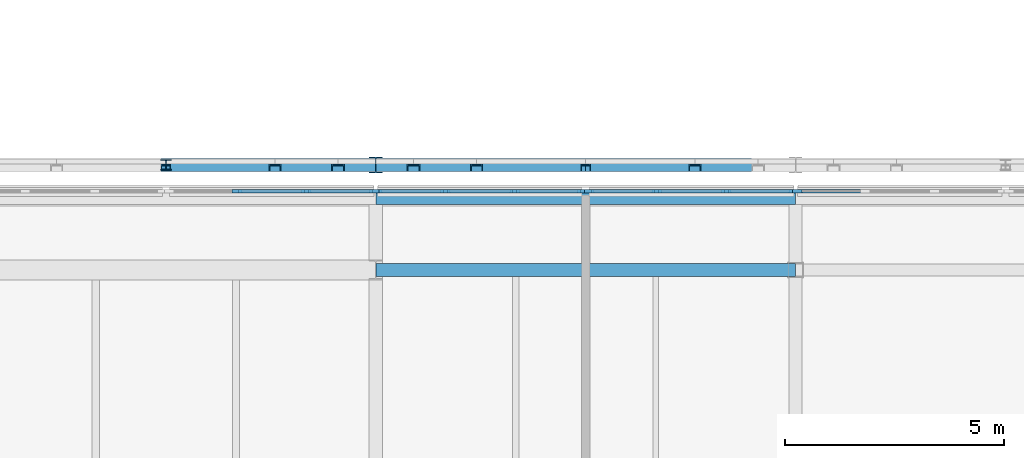
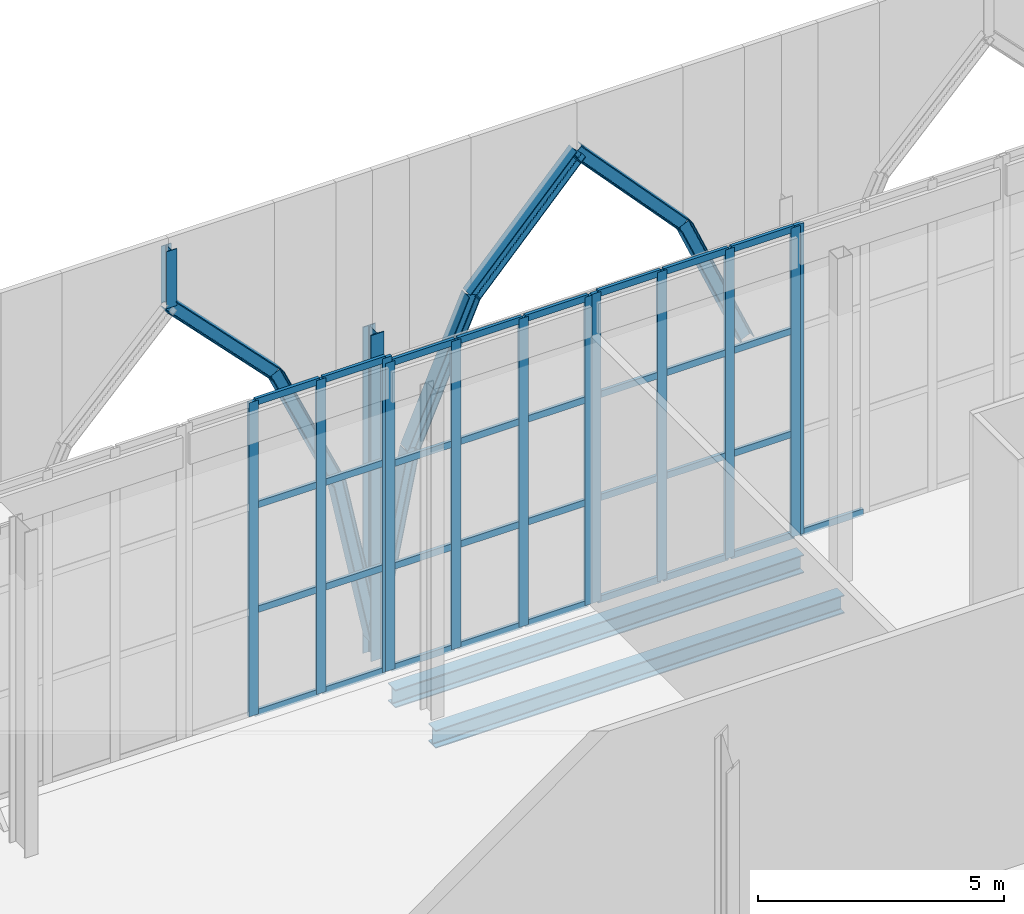
# One storey, part 29 of 79: 55 members, 2 beams, 4 elements without a shape of their own.
"""IFC4 building model written with IfcOpenShell, lengths in metres."""

from ifc_helpers import new_model, si_unit, direction, frame, origin, origin_2d, place, context, subcontext, project, spatial, rectangle, i_section, extrude, material, layer, layer_set, material_profile, profile_set, type_object, element, aggregate, save


model = new_model("IFC4")

# Units and contexts
model_context = context("Model", 3, precision=1e-05, world=origin(), true_north=direction((0.0, 1.0)))
body_context = subcontext(model_context, "Body", "Model", "MODEL_VIEW")
ifc_project = project(units=[si_unit("LENGTHUNIT", "METRE"), si_unit("AREAUNIT", "SQUARE_METRE"), si_unit("VOLUMEUNIT", "CUBIC_METRE"), si_unit("PLANEANGLEUNIT", "RADIAN"), si_unit("MASSUNIT", "GRAM", prefix="KILO")], contexts=[model_context])

# Site, building, storey
site_placement = place(None, origin())
site = spatial("IfcSite", under=ifc_project, at=site_placement, CompositionType="ELEMENT")
building_placement = place(site_placement, origin())
building = spatial("IfcBuilding", under=site, at=building_placement, Name="Zereglee Splitstone Museum", CompositionType="ELEMENT")
storey_placement = place(building_placement, frame((0.0, 0.0, 9.0)))
storey = spatial("IfcBuildingStorey", under=building, at=storey_placement, Name="L02", CompositionType="ELEMENT", Elevation=9.0)

# Curtain wall, member
ifc_material_1 = material(Name="Triple-glazed low-E argon glass and bronze-anodised aluminium", Category="aluminium")
ifc_layer_1 = layer(ifc_material_1, 0.219970703125)
ifc_layer_set_1 = layer_set([ifc_layer_1], Name="Triple-glazed low-E argon glass and bronze-anodised aluminium")
curtain_wall_type_1 = type_object("IfcCurtainWallType", Name="CW-0476-772", PredefinedType="USERDEFINED", material=ifc_layer_set_1)
curtain_wall_1_placement = place(storey_placement, origin())
curtain_wall_1 = element("IfcCurtainWall", 1, at=curtain_wall_1_placement, inside=storey, type_object=curtain_wall_type_1, Name="Glazed Curtain Wall CW-0476-772 (L02)", ObjectType="GLAZED CURTAIN WALL", PredefinedType="USERDEFINED")
ifc_material_2 = material(Name="Thermally broken bronze-anodised aluminium", Category="aluminium")
ifc_material_profile_1 = material_profile(ifc_material_2, rectangle(XDim=0.074951171875, YDim=0.219970703125, at=origin_2d()), Name="CW MULL 75x220")
ifc_profile_set_1 = profile_set([ifc_material_profile_1], Name="Thermally broken bronze-anodised aluminium")
member_type_1 = type_object("IfcMemberType", Name="CWM-02", PredefinedType="MULLION", material=ifc_profile_set_1)
member_1_placement = place(storey_placement, frame((116.4375, 52.199951171875, 0.0), z_axis=(0.0, 0.0, 1.0), x_axis=(0.0, -1.0, 0.0)))
member_1 = element("IfcMember", 2, at=member_1_placement, type_object=member_type_1, Name="CW-0476-772 mullion 4", PredefinedType="MULLION", context=body_context, shape_type="SweptSolid", body=[
    extrude(rectangle(XDim=0.074951171875, YDim=0.219970703125, at=origin_2d()), origin(), (0.0, 0.0, 1.0), 7.719970703125),
])

# Curtain wall, members
ifc_layer_2 = layer(ifc_material_1, 0.219970703125)
ifc_layer_set_2 = layer_set([ifc_layer_2], Name="Triple-glazed low-E argon glass and bronze-anodised aluminium")
curtain_wall_type_2 = type_object("IfcCurtainWallType", Name="CW-0476-768", PredefinedType="USERDEFINED", material=ifc_layer_set_2)
curtain_wall_2_placement = place(storey_placement, origin())
curtain_wall_2 = element("IfcCurtainWall", 3, at=curtain_wall_2_placement, inside=storey, type_object=curtain_wall_type_2, Name="Glazed Curtain Wall CW-0476-768 (L02)", ObjectType="GLAZED CURTAIN WALL", PredefinedType="USERDEFINED")
member_2_placement = place(storey_placement, frame((116.362548828125, 52.199951171875, 0.0), z_axis=(0.0, 0.0, 1.0), x_axis=(0.0, -1.0, 0.0)))
member_2 = element("IfcMember", 4, at=member_2_placement, type_object=member_type_1, Name="CW-0476-768 mullion 1", PredefinedType="MULLION", context=body_context, shape_type="SweptSolid", body=[
    extrude(rectangle(XDim=0.074951171875, YDim=0.219970703125, at=origin_2d()), origin(), (0.0, 0.0, 1.0), 7.679931640625),
])
member_3_placement = place(storey_placement, frame((114.813232421875, 52.199951171875, 0.0), z_axis=(0.0, 0.0, 1.0), x_axis=(0.0, -1.0, 0.0)))
member_3 = element("IfcMember", 5, at=member_3_placement, type_object=member_type_1, Name="CW-0476-768 mullion 2", PredefinedType="MULLION", context=body_context, shape_type="SweptSolid", body=[
    extrude(rectangle(XDim=0.074951171875, YDim=0.219970703125, at=origin_2d()), origin(), (0.0, 0.0, 1.0), 7.679931640625),
])
member_4_placement = place(storey_placement, frame((113.2265625, 52.199951171875, 0.0), z_axis=(0.0, 0.0, 1.0), x_axis=(0.0, -1.0, 0.0)))
member_4 = element("IfcMember", 6, at=member_4_placement, type_object=member_type_1, Name="CW-0476-768 mullion 3", PredefinedType="MULLION", context=body_context, shape_type="SweptSolid", body=[
    extrude(rectangle(XDim=0.074951171875, YDim=0.219970703125, at=origin_2d()), origin(), (0.0, 0.0, 1.0), 7.679931640625),
])
member_5_placement = place(storey_placement, frame((111.677490234375, 52.199951171875, 0.0), z_axis=(0.0, 0.0, 1.0), x_axis=(0.0, -1.0, 0.0)))
member_5 = element("IfcMember", 7, at=member_5_placement, type_object=member_type_1, Name="CW-0476-768 mullion 4", PredefinedType="MULLION", context=body_context, shape_type="SweptSolid", body=[
    extrude(rectangle(XDim=0.074951171875, YDim=0.219970703125, at=origin_2d()), origin(), (0.0, 0.0, 1.0), 7.679931640625),
])

ifc_layer_3 = layer(ifc_material_1, 0.219970703125)
ifc_layer_set_3 = layer_set([ifc_layer_3], Name="Triple-glazed low-E argon glass and bronze-anodised aluminium")
curtain_wall_type_3 = type_object("IfcCurtainWallType", Name="CW-0476-766", PredefinedType="USERDEFINED", material=ifc_layer_set_3)
curtain_wall_3_placement = place(storey_placement, origin())
curtain_wall_3 = element("IfcCurtainWall", 8, at=curtain_wall_3_placement, inside=storey, type_object=curtain_wall_type_3, Name="Glazed Curtain Wall CW-0476-766 (L02)", ObjectType="GLAZED CURTAIN WALL", PredefinedType="USERDEFINED")
member_6_placement = place(storey_placement, frame((111.5224609375, 52.199951171875, 0.0), z_axis=(0.0, 0.0, 1.0), x_axis=(0.0, -1.0, 0.0)))
member_6 = element("IfcMember", 9, at=member_6_placement, type_object=member_type_1, Name="CW-0476-766 mullion 1", PredefinedType="MULLION", context=body_context, shape_type="SweptSolid", body=[
    extrude(rectangle(XDim=0.074951171875, YDim=0.219970703125, at=origin_2d()), origin(), (0.0, 0.0, 1.0), 7.659912109375),
])
member_7_placement = place(storey_placement, frame((109.973388671875, 52.199951171875, 0.0), z_axis=(0.0, 0.0, 1.0), x_axis=(0.0, -1.0, 0.0)))
member_7 = element("IfcMember", 10, at=member_7_placement, type_object=member_type_1, Name="CW-0476-766 mullion 2", PredefinedType="MULLION", context=body_context, shape_type="SweptSolid", body=[
    extrude(rectangle(XDim=0.074951171875, YDim=0.219970703125, at=origin_2d()), origin(), (0.0, 0.0, 1.0), 7.659912109375),
])
member_8_placement = place(storey_placement, frame((108.38671875, 52.199951171875, 0.0), z_axis=(0.0, 0.0, 1.0), x_axis=(0.0, -1.0, 0.0)))
member_8 = element("IfcMember", 11, at=member_8_placement, type_object=member_type_1, Name="CW-0476-766 mullion 3", PredefinedType="MULLION", context=body_context, shape_type="SweptSolid", body=[
    extrude(rectangle(XDim=0.074951171875, YDim=0.219970703125, at=origin_2d()), origin(), (0.0, 0.0, 1.0), 7.659912109375),
])
member_9_placement = place(storey_placement, frame((106.83740234375, 52.199951171875, 0.0), z_axis=(0.0, 0.0, 1.0), x_axis=(0.0, -1.0, 0.0)))
member_9 = element("IfcMember", 12, at=member_9_placement, type_object=member_type_1, Name="CW-0476-766 mullion 4", PredefinedType="MULLION", context=body_context, shape_type="SweptSolid", body=[
    extrude(rectangle(XDim=0.074951171875, YDim=0.219970703125, at=origin_2d()), origin(), (0.0, 0.0, 1.0), 7.659912109375),
])

ifc_layer_4 = layer(ifc_material_1, 0.219970703125)
ifc_layer_set_4 = layer_set([ifc_layer_4], Name="Triple-glazed low-E argon glass and bronze-anodised aluminium")
curtain_wall_type_4 = type_object("IfcCurtainWallType", Name="CW-0476-780", PredefinedType="USERDEFINED", material=ifc_layer_set_4)
curtain_wall_4_placement = place(storey_placement, origin())
curtain_wall_4 = element("IfcCurtainWall", 13, at=curtain_wall_4_placement, inside=storey, type_object=curtain_wall_type_4, Name="Glazed Curtain Wall CW-0476-780 (L02)", ObjectType="GLAZED CURTAIN WALL", PredefinedType="USERDEFINED")
member_10_placement = place(storey_placement, frame((106.762451171875, 52.199951171875, 0.0), z_axis=(0.0, 0.0, 1.0), x_axis=(0.0, -1.0, 0.0)))
member_10 = element("IfcMember", 14, at=member_10_placement, type_object=member_type_1, Name="CW-0476-780 mullion 1", PredefinedType="MULLION", context=body_context, shape_type="SweptSolid", body=[
    extrude(rectangle(XDim=0.074951171875, YDim=0.219970703125, at=origin_2d()), origin(), (0.0, 0.0, 1.0), 7.800048828125),
])
member_11_placement = place(storey_placement, frame((105.21337890625, 52.199951171875, 0.0), z_axis=(0.0, 0.0, 1.0), x_axis=(0.0, -1.0, 0.0)))
member_11 = element("IfcMember", 15, at=member_11_placement, type_object=member_type_1, Name="CW-0476-780 mullion 2", PredefinedType="MULLION", context=body_context, shape_type="SweptSolid", body=[
    extrude(rectangle(XDim=0.074951171875, YDim=0.219970703125, at=origin_2d()), origin(), (0.0, 0.0, 1.0), 7.800048828125),
])
member_12_placement = place(storey_placement, frame((103.626708984375, 52.199951171875, 0.0), z_axis=(0.0, 0.0, 1.0), x_axis=(0.0, -1.0, 0.0)))
member_12 = element("IfcMember", 16, at=member_12_placement, type_object=member_type_1, Name="CW-0476-780 mullion 3", PredefinedType="MULLION", context=body_context, shape_type="SweptSolid", body=[
    extrude(rectangle(XDim=0.074951171875, YDim=0.219970703125, at=origin_2d()), origin(), (0.0, 0.0, 1.0), 7.800048828125),
])

# Member
ifc_material_profile_2 = material_profile(ifc_material_2, rectangle(XDim=0.074951171875, YDim=0.1650390625, at=origin_2d()), Name="CW TRAN 75x165")
ifc_profile_set_2 = profile_set([ifc_material_profile_2], Name="Thermally broken bronze-anodised aluminium")
member_type_2 = type_object("IfcMemberType", Name="CWT-02", PredefinedType="USERDEFINED", material=ifc_profile_set_2)
member_13_placement = place(storey_placement, frame((117.94921875, 52.199951171875, 0.03759765625), z_axis=(-1.0, 0.0, 0.0), x_axis=(0.0, -1.0, 0.0)))
member_13 = element("IfcMember", 17, at=member_13_placement, type_object=member_type_2, Name="CW-0476-772 transom 3.1", ObjectType="TRANSOM", PredefinedType="USERDEFINED", context=body_context, shape_type="SweptSolid", body=[
    extrude(rectangle(XDim=0.074951171875, YDim=0.1650390625, at=origin_2d()), origin(), (0.0, 0.0, 1.0), 1.47412109375),
])

aggregate(curtain_wall_1, [member_1, member_13])

member_14_placement = place(storey_placement, frame((116.324951171875, 52.199951171875, 0.03759765625), z_axis=(-1.0, 0.0, 0.0), x_axis=(0.0, -1.0, 0.0)))
member_14 = element("IfcMember", 18, at=member_14_placement, type_object=member_type_2, Name="CW-0476-768 transom 1.1", ObjectType="TRANSOM", PredefinedType="USERDEFINED", context=body_context, shape_type="SweptSolid", body=[
    extrude(rectangle(XDim=0.074951171875, YDim=0.1650390625, at=origin_2d()), origin(), (0.0, 0.0, 1.0), 1.47412109375),
])

member_15_placement = place(storey_placement, frame((116.324951171875, 52.199951171875, 2.56005859375), z_axis=(-1.0, 0.0, 0.0), x_axis=(0.0, -1.0, 0.0)))
member_15 = element("IfcMember", 19, at=member_15_placement, type_object=member_type_2, Name="CW-0476-768 transom 1.2", ObjectType="TRANSOM", PredefinedType="USERDEFINED", context=body_context, shape_type="SweptSolid", body=[
    extrude(rectangle(XDim=0.074951171875, YDim=0.1650390625, at=origin_2d()), origin(), (0.0, 0.0, 1.0), 1.47412109375),
])

member_16_placement = place(storey_placement, frame((116.324951171875, 52.199951171875, 5.1201171875), z_axis=(-1.0, 0.0, 0.0), x_axis=(0.0, -1.0, 0.0)))
member_16 = element("IfcMember", 20, at=member_16_placement, type_object=member_type_2, Name="CW-0476-768 transom 1.3", ObjectType="TRANSOM", PredefinedType="USERDEFINED", context=body_context, shape_type="SweptSolid", body=[
    extrude(rectangle(XDim=0.074951171875, YDim=0.1650390625, at=origin_2d()), origin(), (0.0, 0.0, 1.0), 1.47412109375),
])

member_17_placement = place(storey_placement, frame((116.324951171875, 52.199951171875, 7.642578125), z_axis=(-1.0, 0.0, 0.0), x_axis=(0.0, -1.0, 0.0)))
member_17 = element("IfcMember", 21, at=member_17_placement, type_object=member_type_2, Name="CW-0476-768 transom 1.4", ObjectType="TRANSOM", PredefinedType="USERDEFINED", context=body_context, shape_type="SweptSolid", body=[
    extrude(rectangle(XDim=0.074951171875, YDim=0.1650390625, at=origin_2d()), origin(), (0.0, 0.0, 1.0), 1.47412109375),
])

member_18_placement = place(storey_placement, frame((114.77587890625, 52.199951171875, 0.03759765625), z_axis=(-1.0, 0.0, 0.0), x_axis=(0.0, -1.0, 0.0)))
member_18 = element("IfcMember", 22, at=member_18_placement, type_object=member_type_2, Name="CW-0476-768 transom 2.1", ObjectType="TRANSOM", PredefinedType="USERDEFINED", context=body_context, shape_type="SweptSolid", body=[
    extrude(rectangle(XDim=0.074951171875, YDim=0.1650390625, at=origin_2d()), origin(), (0.0, 0.0, 1.0), 1.51171875),
])

member_19_placement = place(storey_placement, frame((114.77587890625, 52.199951171875, 2.56005859375), z_axis=(-1.0, 0.0, 0.0), x_axis=(0.0, -1.0, 0.0)))
member_19 = element("IfcMember", 23, at=member_19_placement, type_object=member_type_2, Name="CW-0476-768 transom 2.2", ObjectType="TRANSOM", PredefinedType="USERDEFINED", context=body_context, shape_type="SweptSolid", body=[
    extrude(rectangle(XDim=0.074951171875, YDim=0.1650390625, at=origin_2d()), origin(), (0.0, 0.0, 1.0), 1.51171875),
])

member_20_placement = place(storey_placement, frame((114.77587890625, 52.199951171875, 5.1201171875), z_axis=(-1.0, 0.0, 0.0), x_axis=(0.0, -1.0, 0.0)))
member_20 = element("IfcMember", 24, at=member_20_placement, type_object=member_type_2, Name="CW-0476-768 transom 2.3", ObjectType="TRANSOM", PredefinedType="USERDEFINED", context=body_context, shape_type="SweptSolid", body=[
    extrude(rectangle(XDim=0.074951171875, YDim=0.1650390625, at=origin_2d()), origin(), (0.0, 0.0, 1.0), 1.51171875),
])

member_21_placement = place(storey_placement, frame((114.77587890625, 52.199951171875, 7.642578125), z_axis=(-1.0, 0.0, 0.0), x_axis=(0.0, -1.0, 0.0)))
member_21 = element("IfcMember", 25, at=member_21_placement, type_object=member_type_2, Name="CW-0476-768 transom 2.4", ObjectType="TRANSOM", PredefinedType="USERDEFINED", context=body_context, shape_type="SweptSolid", body=[
    extrude(rectangle(XDim=0.074951171875, YDim=0.1650390625, at=origin_2d()), origin(), (0.0, 0.0, 1.0), 1.51171875),
])

member_22_placement = place(storey_placement, frame((113.189208984375, 52.199951171875, 0.03759765625), z_axis=(-1.0, 0.0, 0.0), x_axis=(0.0, -1.0, 0.0)))
member_22 = element("IfcMember", 26, at=member_22_placement, type_object=member_type_2, Name="CW-0476-768 transom 3.1", ObjectType="TRANSOM", PredefinedType="USERDEFINED", context=body_context, shape_type="SweptSolid", body=[
    extrude(rectangle(XDim=0.074951171875, YDim=0.1650390625, at=origin_2d()), origin(), (0.0, 0.0, 1.0), 1.47412109375),
])

member_23_placement = place(storey_placement, frame((113.189208984375, 52.199951171875, 2.56005859375), z_axis=(-1.0, 0.0, 0.0), x_axis=(0.0, -1.0, 0.0)))
member_23 = element("IfcMember", 27, at=member_23_placement, type_object=member_type_2, Name="CW-0476-768 transom 3.2", ObjectType="TRANSOM", PredefinedType="USERDEFINED", context=body_context, shape_type="SweptSolid", body=[
    extrude(rectangle(XDim=0.074951171875, YDim=0.1650390625, at=origin_2d()), origin(), (0.0, 0.0, 1.0), 1.47412109375),
])

member_24_placement = place(storey_placement, frame((113.189208984375, 52.199951171875, 5.1201171875), z_axis=(-1.0, 0.0, 0.0), x_axis=(0.0, -1.0, 0.0)))
member_24 = element("IfcMember", 28, at=member_24_placement, type_object=member_type_2, Name="CW-0476-768 transom 3.3", ObjectType="TRANSOM", PredefinedType="USERDEFINED", context=body_context, shape_type="SweptSolid", body=[
    extrude(rectangle(XDim=0.074951171875, YDim=0.1650390625, at=origin_2d()), origin(), (0.0, 0.0, 1.0), 1.47412109375),
])

member_25_placement = place(storey_placement, frame((113.189208984375, 52.199951171875, 7.642578125), z_axis=(-1.0, 0.0, 0.0), x_axis=(0.0, -1.0, 0.0)))
member_25 = element("IfcMember", 29, at=member_25_placement, type_object=member_type_2, Name="CW-0476-768 transom 3.4", ObjectType="TRANSOM", PredefinedType="USERDEFINED", context=body_context, shape_type="SweptSolid", body=[
    extrude(rectangle(XDim=0.074951171875, YDim=0.1650390625, at=origin_2d()), origin(), (0.0, 0.0, 1.0), 1.47412109375),
])

aggregate(curtain_wall_2, [member_2, member_3, member_4, member_5, member_14, member_15, member_16, member_17, member_18, member_19, member_20, member_21, member_22, member_23, member_24, member_25])

member_26_placement = place(storey_placement, frame((111.485107421875, 52.199951171875, 0.03759765625), z_axis=(-1.0, 0.0, 0.0), x_axis=(0.0, -1.0, 0.0)))
member_26 = element("IfcMember", 30, at=member_26_placement, type_object=member_type_2, Name="CW-0476-766 transom 1.1", ObjectType="TRANSOM", PredefinedType="USERDEFINED", context=body_context, shape_type="SweptSolid", body=[
    extrude(rectangle(XDim=0.074951171875, YDim=0.1650390625, at=origin_2d()), origin(), (0.0, 0.0, 1.0), 1.474365234375),
])

member_27_placement = place(storey_placement, frame((111.485107421875, 52.199951171875, 2.55322265625), z_axis=(-1.0, 0.0, 0.0), x_axis=(0.0, -1.0, 0.0)))
member_27 = element("IfcMember", 31, at=member_27_placement, type_object=member_type_2, Name="CW-0476-766 transom 1.2", ObjectType="TRANSOM", PredefinedType="USERDEFINED", context=body_context, shape_type="SweptSolid", body=[
    extrude(rectangle(XDim=0.074951171875, YDim=0.1650390625, at=origin_2d()), origin(), (0.0, 0.0, 1.0), 1.474365234375),
])

member_28_placement = place(storey_placement, frame((111.485107421875, 52.199951171875, 5.106689453125), z_axis=(-1.0, 0.0, 0.0), x_axis=(0.0, -1.0, 0.0)))
member_28 = element("IfcMember", 32, at=member_28_placement, type_object=member_type_2, Name="CW-0476-766 transom 1.3", ObjectType="TRANSOM", PredefinedType="USERDEFINED", context=body_context, shape_type="SweptSolid", body=[
    extrude(rectangle(XDim=0.074951171875, YDim=0.1650390625, at=origin_2d()), origin(), (0.0, 0.0, 1.0), 1.474365234375),
])

member_29_placement = place(storey_placement, frame((111.485107421875, 52.199951171875, 7.62255859375), z_axis=(-1.0, 0.0, 0.0), x_axis=(0.0, -1.0, 0.0)))
member_29 = element("IfcMember", 33, at=member_29_placement, type_object=member_type_2, Name="CW-0476-766 transom 1.4", ObjectType="TRANSOM", PredefinedType="USERDEFINED", context=body_context, shape_type="SweptSolid", body=[
    extrude(rectangle(XDim=0.074951171875, YDim=0.1650390625, at=origin_2d()), origin(), (0.0, 0.0, 1.0), 1.474365234375),
])

member_30_placement = place(storey_placement, frame((109.935791015625, 52.199951171875, 0.03759765625), z_axis=(-1.0, 0.0, 0.0), x_axis=(0.0, -1.0, 0.0)))
member_30 = element("IfcMember", 34, at=member_30_placement, type_object=member_type_2, Name="CW-0476-766 transom 2.1", ObjectType="TRANSOM", PredefinedType="USERDEFINED", context=body_context, shape_type="SweptSolid", body=[
    extrude(rectangle(XDim=0.074951171875, YDim=0.1650390625, at=origin_2d()), origin(), (0.0, 0.0, 1.0), 1.51171875),
])

member_31_placement = place(storey_placement, frame((109.935791015625, 52.199951171875, 2.55322265625), z_axis=(-1.0, 0.0, 0.0), x_axis=(0.0, -1.0, 0.0)))
member_31 = element("IfcMember", 35, at=member_31_placement, type_object=member_type_2, Name="CW-0476-766 transom 2.2", ObjectType="TRANSOM", PredefinedType="USERDEFINED", context=body_context, shape_type="SweptSolid", body=[
    extrude(rectangle(XDim=0.074951171875, YDim=0.1650390625, at=origin_2d()), origin(), (0.0, 0.0, 1.0), 1.51171875),
])

member_32_placement = place(storey_placement, frame((109.935791015625, 52.199951171875, 5.106689453125), z_axis=(-1.0, 0.0, 0.0), x_axis=(0.0, -1.0, 0.0)))
member_32 = element("IfcMember", 36, at=member_32_placement, type_object=member_type_2, Name="CW-0476-766 transom 2.3", ObjectType="TRANSOM", PredefinedType="USERDEFINED", context=body_context, shape_type="SweptSolid", body=[
    extrude(rectangle(XDim=0.074951171875, YDim=0.1650390625, at=origin_2d()), origin(), (0.0, 0.0, 1.0), 1.51171875),
])

member_33_placement = place(storey_placement, frame((109.935791015625, 52.199951171875, 7.62255859375), z_axis=(-1.0, 0.0, 0.0), x_axis=(0.0, -1.0, 0.0)))
member_33 = element("IfcMember", 37, at=member_33_placement, type_object=member_type_2, Name="CW-0476-766 transom 2.4", ObjectType="TRANSOM", PredefinedType="USERDEFINED", context=body_context, shape_type="SweptSolid", body=[
    extrude(rectangle(XDim=0.074951171875, YDim=0.1650390625, at=origin_2d()), origin(), (0.0, 0.0, 1.0), 1.51171875),
])

member_34_placement = place(storey_placement, frame((108.34912109375, 52.199951171875, 0.03759765625), z_axis=(-1.0, 0.0, 0.0), x_axis=(0.0, -1.0, 0.0)))
member_34 = element("IfcMember", 38, at=member_34_placement, type_object=member_type_2, Name="CW-0476-766 transom 3.1", ObjectType="TRANSOM", PredefinedType="USERDEFINED", context=body_context, shape_type="SweptSolid", body=[
    extrude(rectangle(XDim=0.074951171875, YDim=0.1650390625, at=origin_2d()), origin(), (0.0, 0.0, 1.0), 1.47412109375),
])

member_35_placement = place(storey_placement, frame((108.34912109375, 52.199951171875, 2.55322265625), z_axis=(-1.0, 0.0, 0.0), x_axis=(0.0, -1.0, 0.0)))
member_35 = element("IfcMember", 39, at=member_35_placement, type_object=member_type_2, Name="CW-0476-766 transom 3.2", ObjectType="TRANSOM", PredefinedType="USERDEFINED", context=body_context, shape_type="SweptSolid", body=[
    extrude(rectangle(XDim=0.074951171875, YDim=0.1650390625, at=origin_2d()), origin(), (0.0, 0.0, 1.0), 1.47412109375),
])

member_36_placement = place(storey_placement, frame((108.34912109375, 52.199951171875, 5.106689453125), z_axis=(-1.0, 0.0, 0.0), x_axis=(0.0, -1.0, 0.0)))
member_36 = element("IfcMember", 40, at=member_36_placement, type_object=member_type_2, Name="CW-0476-766 transom 3.3", ObjectType="TRANSOM", PredefinedType="USERDEFINED", context=body_context, shape_type="SweptSolid", body=[
    extrude(rectangle(XDim=0.074951171875, YDim=0.1650390625, at=origin_2d()), origin(), (0.0, 0.0, 1.0), 1.47412109375),
])

member_37_placement = place(storey_placement, frame((108.34912109375, 52.199951171875, 7.62255859375), z_axis=(-1.0, 0.0, 0.0), x_axis=(0.0, -1.0, 0.0)))
member_37 = element("IfcMember", 41, at=member_37_placement, type_object=member_type_2, Name="CW-0476-766 transom 3.4", ObjectType="TRANSOM", PredefinedType="USERDEFINED", context=body_context, shape_type="SweptSolid", body=[
    extrude(rectangle(XDim=0.074951171875, YDim=0.1650390625, at=origin_2d()), origin(), (0.0, 0.0, 1.0), 1.47412109375),
])

aggregate(curtain_wall_3, [member_6, member_7, member_8, member_9, member_26, member_27, member_28, member_29, member_30, member_31, member_32, member_33, member_34, member_35, member_36, member_37])

member_38_placement = place(storey_placement, frame((106.72509765625, 52.199951171875, 0.03759765625), z_axis=(-1.0, 0.0, 0.0), x_axis=(0.0, -1.0, 0.0)))
member_38 = element("IfcMember", 42, at=member_38_placement, type_object=member_type_2, Name="CW-0476-780 transom 1.1", ObjectType="TRANSOM", PredefinedType="USERDEFINED", context=body_context, shape_type="SweptSolid", body=[
    extrude(rectangle(XDim=0.074951171875, YDim=0.1650390625, at=origin_2d()), origin(), (0.0, 0.0, 1.0), 1.474365234375),
])

member_39_placement = place(storey_placement, frame((106.72509765625, 52.199951171875, 2.60009765625), z_axis=(-1.0, 0.0, 0.0), x_axis=(0.0, -1.0, 0.0)))
member_39 = element("IfcMember", 43, at=member_39_placement, type_object=member_type_2, Name="CW-0476-780 transom 1.2", ObjectType="TRANSOM", PredefinedType="USERDEFINED", context=body_context, shape_type="SweptSolid", body=[
    extrude(rectangle(XDim=0.074951171875, YDim=0.1650390625, at=origin_2d()), origin(), (0.0, 0.0, 1.0), 1.474365234375),
])

member_40_placement = place(storey_placement, frame((106.72509765625, 52.199951171875, 5.199951171875), z_axis=(-1.0, 0.0, 0.0), x_axis=(0.0, -1.0, 0.0)))
member_40 = element("IfcMember", 44, at=member_40_placement, type_object=member_type_2, Name="CW-0476-780 transom 1.3", ObjectType="TRANSOM", PredefinedType="USERDEFINED", context=body_context, shape_type="SweptSolid", body=[
    extrude(rectangle(XDim=0.074951171875, YDim=0.1650390625, at=origin_2d()), origin(), (0.0, 0.0, 1.0), 1.474365234375),
])

member_41_placement = place(storey_placement, frame((106.72509765625, 52.199951171875, 7.762451171875), z_axis=(-1.0, 0.0, 0.0), x_axis=(0.0, -1.0, 0.0)))
member_41 = element("IfcMember", 45, at=member_41_placement, type_object=member_type_2, Name="CW-0476-780 transom 1.4", ObjectType="TRANSOM", PredefinedType="USERDEFINED", context=body_context, shape_type="SweptSolid", body=[
    extrude(rectangle(XDim=0.074951171875, YDim=0.1650390625, at=origin_2d()), origin(), (0.0, 0.0, 1.0), 1.474365234375),
])

member_42_placement = place(storey_placement, frame((105.17578125, 52.199951171875, 0.03759765625), z_axis=(-1.0, 0.0, 0.0), x_axis=(0.0, -1.0, 0.0)))
member_42 = element("IfcMember", 46, at=member_42_placement, type_object=member_type_2, Name="CW-0476-780 transom 2.1", ObjectType="TRANSOM", PredefinedType="USERDEFINED", context=body_context, shape_type="SweptSolid", body=[
    extrude(rectangle(XDim=0.074951171875, YDim=0.1650390625, at=origin_2d()), origin(), (0.0, 0.0, 1.0), 1.51171875),
])

member_43_placement = place(storey_placement, frame((105.17578125, 52.199951171875, 2.60009765625), z_axis=(-1.0, 0.0, 0.0), x_axis=(0.0, -1.0, 0.0)))
member_43 = element("IfcMember", 47, at=member_43_placement, type_object=member_type_2, Name="CW-0476-780 transom 2.2", ObjectType="TRANSOM", PredefinedType="USERDEFINED", context=body_context, shape_type="SweptSolid", body=[
    extrude(rectangle(XDim=0.074951171875, YDim=0.1650390625, at=origin_2d()), origin(), (0.0, 0.0, 1.0), 1.51171875),
])

member_44_placement = place(storey_placement, frame((105.17578125, 52.199951171875, 5.199951171875), z_axis=(-1.0, 0.0, 0.0), x_axis=(0.0, -1.0, 0.0)))
member_44 = element("IfcMember", 48, at=member_44_placement, type_object=member_type_2, Name="CW-0476-780 transom 2.3", ObjectType="TRANSOM", PredefinedType="USERDEFINED", context=body_context, shape_type="SweptSolid", body=[
    extrude(rectangle(XDim=0.074951171875, YDim=0.1650390625, at=origin_2d()), origin(), (0.0, 0.0, 1.0), 1.51171875),
])

member_45_placement = place(storey_placement, frame((105.17578125, 52.199951171875, 7.762451171875), z_axis=(-1.0, 0.0, 0.0), x_axis=(0.0, -1.0, 0.0)))
member_45 = element("IfcMember", 49, at=member_45_placement, type_object=member_type_2, Name="CW-0476-780 transom 2.4", ObjectType="TRANSOM", PredefinedType="USERDEFINED", context=body_context, shape_type="SweptSolid", body=[
    extrude(rectangle(XDim=0.074951171875, YDim=0.1650390625, at=origin_2d()), origin(), (0.0, 0.0, 1.0), 1.51171875),
])

aggregate(curtain_wall_4, [member_10, member_11, member_12, member_38, member_39, member_40, member_41, member_42, member_43, member_44, member_45])

# Members
ifc_material_3 = material(Name="Steel S355J2", Category="steel")
ifc_material_profile_3 = material_profile(ifc_material_3, i_section(OverallWidth=0.300048828125, OverallDepth=0.300048828125, WebThickness=0.010986328125, FlangeThickness=0.01904296875, FilletRadius=0.027099609375, at=origin_2d()), Name="HE 300 B")
ifc_profile_set_3 = profile_set([ifc_material_profile_3], Name="Steel S355J2")
member_type_3 = type_object("IfcMemberType", Name="TC-08", PredefinedType="CHORD", material=ifc_profile_set_3)
member_46_placement = place(storey_placement, frame((102.0, 52.800048828125, 10.39990234375), z_axis=(0.696162850583, 0.0, -0.717883894141), x_axis=(0.0, 1.0, 0.0)))
element("IfcMember", 50, at=member_46_placement, inside=storey, type_object=member_type_3, Name="Mughal Four-Centred Pointed Arch Rib PSQ-ATRN-1-4", PredefinedType="CHORD", context=body_context, shape_type="SweptSolid", body=[
    extrude(i_section(OverallWidth=0.300048828125, OverallDepth=0.300048828125, WebThickness=0.010986328125, FlangeThickness=0.01904296875, FilletRadius=0.027099609375, at=origin_2d()), origin(), (0.0, 0.0, 1.0), 3.58544921875),
])
member_47_placement = place(storey_placement, frame((104.49609375, 52.800048828125, 7.825927734375), z_axis=(0.413792372507, 0.0, -0.910371282749), x_axis=(0.0, 1.0, 0.0)))
element("IfcMember", 51, at=member_47_placement, inside=storey, type_object=member_type_3, Name="Mughal Four-Centred Pointed Arch Rib PSQ-ATRN-1-5", PredefinedType="CHORD", context=body_context, shape_type="SweptSolid", body=[
    extrude(i_section(OverallWidth=0.300048828125, OverallDepth=0.300048828125, WebThickness=0.010986328125, FlangeThickness=0.01904296875, FilletRadius=0.027099609375, at=origin_2d()), origin(), (0.0, 0.0, 1.0), 3.47998046875),
])
member_48_placement = place(storey_placement, frame((105.93603515625, 52.800048828125, 4.657958984375), z_axis=(0.203451466719, 0.0, -0.97908503241), x_axis=(0.0, 1.0, 0.0)))
element("IfcMember", 52, at=member_48_placement, inside=storey, type_object=member_type_3, Name="Mughal Four-Centred Pointed Arch Rib PSQ-ATRN-1-6", PredefinedType="CHORD", context=body_context, shape_type="SweptSolid", body=[
    extrude(i_section(OverallWidth=0.300048828125, OverallDepth=0.300048828125, WebThickness=0.010986328125, FlangeThickness=0.01904296875, FilletRadius=0.027099609375, at=origin_2d()), origin(), (0.0, 0.0, 1.0), 4.246826171875),
])
member_49_placement = place(storey_placement, frame((106.800048828125, 52.800048828125, 0.5), z_axis=(0.194950707798, 0.0, 0.980813041068), x_axis=(0.0, 1.0, 0.0)))
element("IfcMember", 53, at=member_49_placement, inside=storey, type_object=member_type_3, Name="Mughal Four-Centred Pointed Arch Rib PSQ-ATRN-2-1", PredefinedType="CHORD", context=body_context, shape_type="SweptSolid", body=[
    extrude(i_section(OverallWidth=0.300048828125, OverallDepth=0.300048828125, WebThickness=0.010986328125, FlangeThickness=0.01904296875, FilletRadius=0.027099609375, at=origin_2d()), origin(), (0.0, 0.0, 1.0), 4.431884765625),
])
member_50_placement = place(storey_placement, frame((107.6640625, 52.800048828125, 4.846923828125), z_axis=(0.398711279961, 0.0, 0.917076504569), x_axis=(0.0, 1.0, 0.0)))
element("IfcMember", 54, at=member_50_placement, inside=storey, type_object=member_type_3, Name="Mughal Four-Centred Pointed Arch Rib PSQ-ATRN-2-2", PredefinedType="CHORD", context=body_context, shape_type="SweptSolid", body=[
    extrude(i_section(OverallWidth=0.300048828125, OverallDepth=0.300048828125, WebThickness=0.010986328125, FlangeThickness=0.01904296875, FilletRadius=0.027099609375, at=origin_2d()), origin(), (0.0, 0.0, 1.0), 3.611572265625),
])
member_51_placement = place(storey_placement, frame((109.10400390625, 52.800048828125, 8.158935546875), z_axis=(0.680035143072, 0.0, 0.733179517027), x_axis=(0.0, 1.0, 0.0)))
element("IfcMember", 55, at=member_51_placement, inside=storey, type_object=member_type_3, Name="Mughal Four-Centred Pointed Arch Rib PSQ-ATRN-2-3", PredefinedType="CHORD", context=body_context, shape_type="SweptSolid", body=[
    extrude(i_section(OverallWidth=0.300048828125, OverallDepth=0.300048828125, WebThickness=0.010986328125, FlangeThickness=0.01904296875, FilletRadius=0.027099609375, at=origin_2d()), origin(), (0.0, 0.0, 1.0), 3.670654296875),
])
member_52_placement = place(storey_placement, frame((111.60009765625, 52.800048828125, 10.85009765625), z_axis=(0.679999386108, 0.0, -0.733212680531), x_axis=(0.0, 1.0, 0.0)))
element("IfcMember", 56, at=member_52_placement, inside=storey, type_object=member_type_3, Name="Mughal Four-Centred Pointed Arch Rib PSQ-ATRN-2-4", PredefinedType="CHORD", context=body_context, shape_type="SweptSolid", body=[
    extrude(i_section(OverallWidth=0.300048828125, OverallDepth=0.300048828125, WebThickness=0.010986328125, FlangeThickness=0.01904296875, FilletRadius=0.027099609375, at=origin_2d()), origin(), (0.0, 0.0, 1.0), 3.67041015625),
])
member_53_placement = place(storey_placement, frame((114.095947265625, 52.800048828125, 8.158935546875), z_axis=(0.398711279961, 0.0, -0.917076504569), x_axis=(0.0, 1.0, 0.0)))
element("IfcMember", 57, at=member_53_placement, inside=storey, type_object=member_type_3, Name="Mughal Four-Centred Pointed Arch Rib PSQ-ATRN-2-5", PredefinedType="CHORD", context=body_context, shape_type="SweptSolid", body=[
    extrude(i_section(OverallWidth=0.300048828125, OverallDepth=0.300048828125, WebThickness=0.010986328125, FlangeThickness=0.01904296875, FilletRadius=0.027099609375, at=origin_2d()), origin(), (0.0, 0.0, 1.0), 3.611572265625),
])
ifc_material_profile_4 = material_profile(ifc_material_3, i_section(OverallWidth=0.300048828125, OverallDepth=0.360107421875, WebThickness=0.012451171875, FlangeThickness=0.0224609375, FilletRadius=0.027099609375, at=origin_2d()), Name="HE 360 B")
ifc_profile_set_4 = profile_set([ifc_material_profile_4], Name="Steel S355J2")
member_type_4 = type_object("IfcMemberType", Name="TC-06", PredefinedType="CHORD", material=ifc_profile_set_4)
member_54_placement = place(storey_placement, frame((106.800048828125, 52.800048828125, 0.0), z_axis=(0.0, 0.0, 1.0), x_axis=(1.0, 0.0, 0.0)))
element("IfcMember", 58, at=member_54_placement, inside=storey, type_object=member_type_4, Name="Mughal Guldasta Hovering Portal Pier G10 L02", PredefinedType="CHORD", context=body_context, shape_type="SweptSolid", body=[
    extrude(i_section(OverallWidth=0.300048828125, OverallDepth=0.360107421875, WebThickness=0.012451171875, FlangeThickness=0.0224609375, FilletRadius=0.027099609375, at=origin_2d()), origin(), (0.0, 0.0, 1.0), 8.10009765625),
])
ifc_material_profile_5 = material_profile(ifc_material_3, i_section(OverallWidth=0.239990234375, OverallDepth=0.239990234375, WebThickness=0.010009765625, FlangeThickness=0.01708984375, FilletRadius=0.02099609375, at=origin_2d()), Name="HE 240 B")
ifc_profile_set_5 = profile_set([ifc_material_profile_5], Name="Steel S355J2")
member_type_5 = type_object("IfcMemberType", Name="TP-02", PredefinedType="POST", material=ifc_profile_set_5)
member_55_placement = place(storey_placement, frame((102.0, 52.800048828125, 10.39990234375), z_axis=(0.0, 0.0, 1.0), x_axis=(1.0, 0.0, 0.0)))
element("IfcMember", 59, at=member_55_placement, inside=storey, type_object=member_type_5, Name="Mughal Pishtaq Crown King-Post PSQ-ATRN-1", PredefinedType="POST", context=body_context, shape_type="SweptSolid", body=[
    extrude(i_section(OverallWidth=0.239990234375, OverallDepth=0.239990234375, WebThickness=0.010009765625, FlangeThickness=0.01708984375, FilletRadius=0.02099609375, at=origin_2d()), origin(), (0.0, 0.0, 1.0), 1.4150390625),
])

# Beams
ifc_material_profile_6 = material_profile(ifc_material_3, i_section(OverallWidth=0.300048828125, OverallDepth=0.449951171875, WebThickness=0.013916015625, FlangeThickness=0.02587890625, FilletRadius=0.027099609375, at=origin_2d()), Name="HE 450 B")
ifc_profile_set_6 = profile_set([ifc_material_profile_6], Name="Steel S355J2")
beam_type = type_object("IfcBeamType", Name="SP-02", PredefinedType="SPANDREL", material=ifc_profile_set_6)
for number, where, z_axis, x_axis, name in (
    (60, (106.800048828125, 50.39990234375, -0.544921875), (1.0, 0.0, 0.0), (0.0, 1.0, 0.0), "Primary Girder L02 F (106.8-116.4)"),
    (61, (106.800048828125, 52.050048828125, -0.544921875), (1.0, 0.0, 0.0), (0.0, 1.0, 0.0), "Hovering Soffit Spandrel L02 (106.8-116.4)"),
):
    element("IfcBeam", number, at=place(storey_placement, frame(where, z_axis=z_axis, x_axis=x_axis)), inside=storey, type_object=beam_type, Name=name, PredefinedType="SPANDREL", context=body_context, shape_type="SweptSolid", body=[
        extrude(i_section(OverallWidth=0.300048828125, OverallDepth=0.449951171875, WebThickness=0.013916015625, FlangeThickness=0.02587890625, FilletRadius=0.027099609375, at=origin_2d()), origin(), (0.0, 0.0, 1.0), 9.599853515625),
    ])

save(model, "model.ifc")
